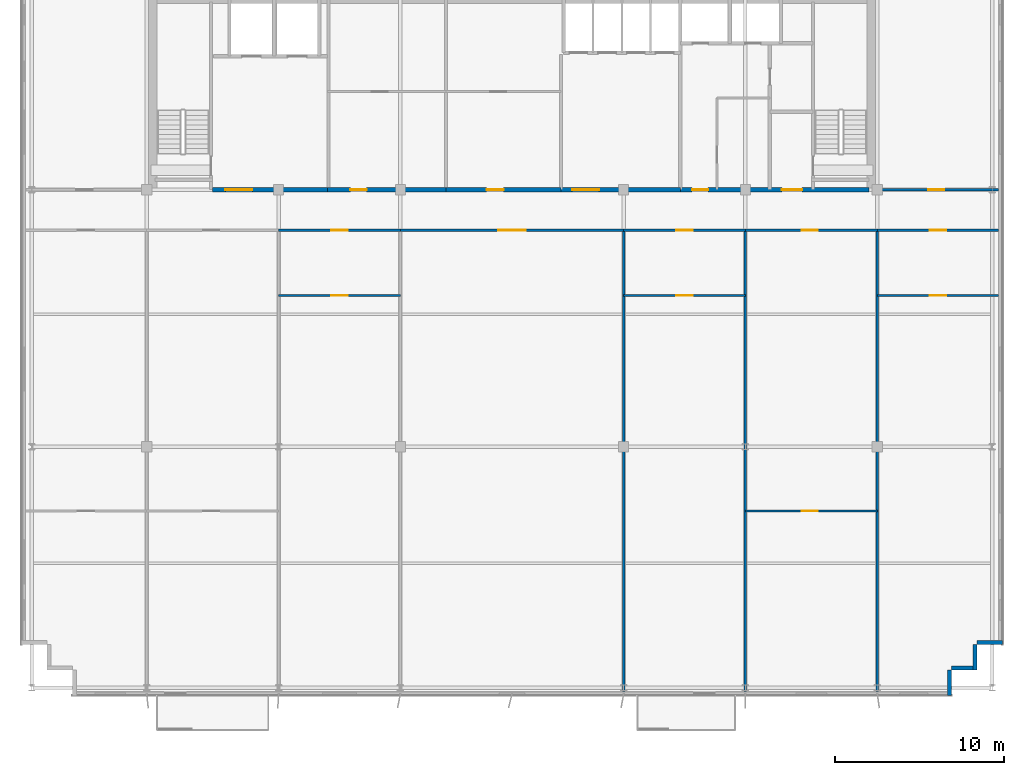
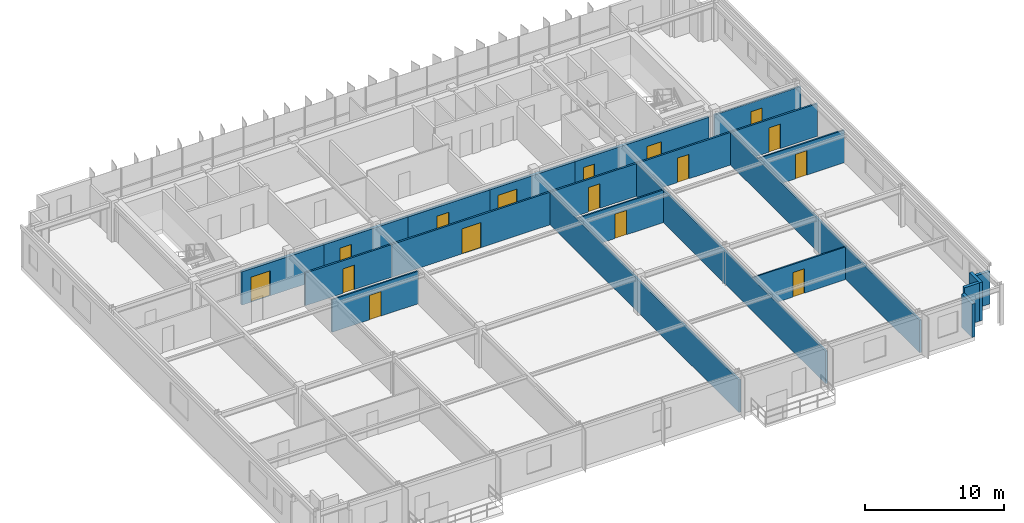
# One storey, part 17 of 21: 22 walls, 16 doors, 16 openings.
"""IFC4 building model written with IfcOpenShell, lengths in metres."""

from ifc_helpers import new_model, si_unit, direction, frame, frame_2d, origin, place, context, subcontext, project, spatial, rectangle, extrude, source, transform, mapped, material, layer, layer_set, type_object, element, fill, save


model = new_model("IFC4")

# Units and contexts
model_context = context("Model", 3, precision=1e-05, world=origin(), true_north=direction((0.0, 1.0)))
body_context = subcontext(model_context, "Body", "Model", "MODEL_VIEW")
ifc_project = project(units=[si_unit("LENGTHUNIT", "METRE"), si_unit("AREAUNIT", "SQUARE_METRE"), si_unit("VOLUMEUNIT", "CUBIC_METRE"), si_unit("PLANEANGLEUNIT", "RADIAN"), si_unit("MASSUNIT", "GRAM", prefix="KILO")], contexts=[model_context])

# Site, building, storey
site_placement = place(None, origin())
site = spatial("IfcSite", under=ifc_project, at=site_placement, CompositionType="ELEMENT")
building_placement = place(site_placement, origin())
building = spatial("IfcBuilding", under=site, at=building_placement, Name="Trelvane Seafront Commons", CompositionType="ELEMENT")
storey_placement = place(building_placement, frame((0.0, 0.0, 248.699951171875)))
storey = spatial("IfcBuildingStorey", under=building, at=storey_placement, Name="L64", CompositionType="ELEMENT", Elevation=248.699951171875)

# Walls
ifc_material_1 = material(Name="Precast concrete C40/50", Category="concrete")
ifc_layer_1 = layer(ifc_material_1, 0.239990234375, Name="ARCH-WALL-EXT240")
ifc_layer_set_1 = layer_set([ifc_layer_1], Name="Precast concrete C40/50")
wall_type_1 = type_object("IfcWallType", Name="ARCH-WALL-EXT240", PredefinedType="SOLIDWALL", material=ifc_layer_set_1)
wall_1_placement = place(storey_placement, frame((66.199951171875, 6.6201171875, 0.0), z_axis=(0.0, 0.0, 1.0), x_axis=(-1.0, 0.0, 0.0)))
element("IfcWall", 1, at=wall_1_placement, inside=storey, type_object=wall_type_1, Name="EW-L64-01292", PredefinedType="SOLIDWALL", context=body_context, shape_type="SweptSolid", body=[
    extrude(rectangle(XDim=1.5, YDim=0.239990234375, at=frame_2d((0.75, 0.0))), origin(), (0.0, 0.0, 1.0), 2.8701171875),
])
for number, where, z_axis, x_axis, name in (
    (2, (64.580078125, 6.5, 0.0), (0.0, 0.0, 1.0), (0.0, -1.0, 0.0), "EW-L64-01293"),
    (3, (64.699951171875, 5.1201171875, 0.0), (0.0, 0.0, 1.0), (-1.0, 0.0, 0.0), "EW-L64-01294"),
):
    element("IfcWall", number, at=place(storey_placement, frame(where, z_axis=z_axis, x_axis=x_axis)), inside=storey, type_object=wall_type_1, Name=name, PredefinedType="SOLIDWALL", context=body_context, shape_type="SweptSolid", body=[
        extrude(rectangle(XDim=1.5, YDim=0.239990234375, at=frame_2d((0.75, 0.0))), origin(), (0.0, 0.0, 1.0), 3.3701171875),
    ])
wall_2_placement = place(storey_placement, frame((63.080078125, 5.0, 0.0), z_axis=(0.0, 0.0, 1.0), x_axis=(0.0, -1.0, 0.0)))
element("IfcWall", 4, at=wall_2_placement, inside=storey, type_object=wall_type_1, Name="EW-L64-01295", PredefinedType="SOLIDWALL", context=body_context, shape_type="SweptSolid", body=[
    extrude(rectangle(XDim=1.5, YDim=0.239990234375, at=frame_2d((0.75, 0.0))), origin(), (0.0, 0.0, 1.0), 2.920166015625),
])

# Wall, opening, door
ifc_material_2 = material(Name="Concrete C40/50", Category="concrete")
ifc_layer_2 = layer(ifc_material_2, 0.25, Name="ARCH-WALL-FIRE250")
ifc_layer_set_2 = layer_set([ifc_layer_2], Name="Concrete C40/50")
wall_type_2 = type_object("IfcWallType", Name="ARCH-WALL-FIRE250", PredefinedType="PARTITIONING", material=ifc_layer_set_2)
wall_3_placement = place(storey_placement, frame((19.5, 33.39990234375, 0.0), z_axis=(0.0, 0.0, 1.0), x_axis=(1.0, 0.0, 0.0)))
wall_3 = element("IfcWall", 5, at=wall_3_placement, inside=storey, type_object=wall_type_2, Name="W-L64-CS-FFL-013", PredefinedType="PARTITIONING", context=body_context, shape_type="SweptSolid", body=[
    extrude(rectangle(XDim=6.800048828125, YDim=0.25, at=frame_2d((3.39990234375, 0.0))), origin(), (0.0, 0.0, 1.0), 2.920166015625),
])
opening_1_placement = place(wall_3_placement, frame((0.75, 0.0, 0.0)))
opening_1 = element("IfcOpeningElement", 6, at=opening_1_placement, cuts=wall_3, Name="Opening FD-L64-05", PredefinedType="OPENING", context=body_context, shape_type="SweptSolid", body=[
    extrude(rectangle(XDim=1.60009765625, YDim=2.199951171875, at=frame_2d((0.800048828125, 1.10009765625))), frame((0.0, 0.135009765625, 0.0), z_axis=(0.0, -1.0, 0.0), x_axis=(1.0, 0.0, 0.0)), (0.0, 0.0, 1.0), 0.27001953125),
])
ifc_material_3 = material(Name="Powder-coated aluminium frame", Category="aluminium")
door_type_1 = type_object("IfcDoorType", Name="ARCH-DR-FD60-1600", OperationType="DOUBLE_DOOR_SINGLE_SWING", PredefinedType="DOOR", material=ifc_material_3)
shared_shape_1 = source(origin(), body_context, "Body", "SweptSolid", [
    extrude(rectangle(XDim=1.60009765625, YDim=2.199951171875, at=frame_2d((0.800048828125, 1.10009765625))), frame((0.0, 0.02490234375, 0.0), z_axis=(0.0, -1.0, 0.0), x_axis=(1.0, 0.0, 0.0)), (0.0, 0.0, 1.0), 0.050048828125),
])
door_1_placement = place(opening_1_placement, origin())
door_1 = element("IfcDoor", 7, at=door_1_placement, inside=storey, type_object=door_type_1, Name="L64 Firefighting Lift Lobby Double Fire Door", OperationType="DOUBLE_DOOR_SINGLE_SWING", OverallHeight=2.199951171875, OverallWidth=1.60009765625, PredefinedType="DOOR", context=body_context, shape_type="MappedRepresentation", body=[
    mapped(shared_shape_1, transform((0.0, 0.0, 0.0), x_axis=(1.0, 0.0, 0.0), y_axis=(0.0, 1.0, 0.0), z_axis=(0.0, 0.0, 1.0), scale=1.0)),
])
fill(opening_1, door_1)

wall_4_placement = place(storey_placement, frame((26.300048828125, 33.39990234375, 0.0), z_axis=(0.0, 0.0, 1.0), x_axis=(1.0, 0.0, 0.0)))
wall_4 = element("IfcWall", 8, at=wall_4_placement, inside=storey, type_object=wall_type_2, Name="W-L64-CS-FPL-024", PredefinedType="PARTITIONING", context=body_context, shape_type="SweptSolid", body=[
    extrude(rectangle(XDim=7.0, YDim=0.25, at=frame_2d((3.5, 0.0))), origin(), (0.0, 0.0, 1.0), 2.920166015625),
])
opening_2_placement = place(wall_4_placement, frame((1.35009765625, 0.0, 0.0)))
opening_2 = element("IfcOpeningElement", 9, at=opening_2_placement, cuts=wall_4, Name="Opening D-L64-12", PredefinedType="OPENING", context=body_context, shape_type="SweptSolid", body=[
    extrude(rectangle(XDim=0.949951171875, YDim=2.14990234375, at=frame_2d((0.47509765625, 1.074951171875))), frame((0.0, 0.135009765625, 0.0), z_axis=(0.0, -1.0, 0.0), x_axis=(1.0, 0.0, 0.0)), (0.0, 0.0, 1.0), 0.27001953125),
])
ifc_material_4 = material(Name="Acoustic timber door leaf", Category="wood")
door_type_2 = type_object("IfcDoorType", Name="ARCH-DR-INT950", OperationType="NOTDEFINED", PredefinedType="DOOR", material=ifc_material_4)
shared_shape_2 = source(origin(), body_context, "Body", "SweptSolid", [
    extrude(rectangle(XDim=0.949951171875, YDim=2.14990234375, at=frame_2d((0.47509765625, 1.074951171875))), frame((0.0, 0.02490234375, 0.0), z_axis=(0.0, -1.0, 0.0), x_axis=(1.0, 0.0, 0.0)), (0.0, 0.0, 1.0), 0.050048828125),
])
door_2_placement = place(opening_2_placement, origin())
door_2 = element("IfcDoor", 10, at=door_2_placement, inside=storey, type_object=door_type_2, Name="L64 Floor Pantry Entrance Door", OperationType="SINGLE_SWING_RIGHT", OverallHeight=2.14990234375, OverallWidth=0.949951171875, PredefinedType="DOOR", context=body_context, shape_type="MappedRepresentation", body=[
    mapped(shared_shape_2, transform((0.0, 0.0, 0.0), x_axis=(1.0, 0.0, 0.0), y_axis=(0.0, 1.0, 0.0), z_axis=(0.0, 0.0, 1.0), scale=1.0)),
])
fill(opening_2, door_2)

wall_5_placement = place(storey_placement, frame((33.300048828125, 33.39990234375, 0.0), z_axis=(0.0, 0.0, 1.0), x_axis=(1.0, 0.0, 0.0)))
wall_5 = element("IfcWall", 11, at=wall_5_placement, inside=storey, type_object=wall_type_2, Name="W-L64-CS-FPM-025", PredefinedType="PARTITIONING", context=body_context, shape_type="SweptSolid", body=[
    extrude(rectangle(XDim=6.800048828125, YDim=0.25, at=frame_2d((3.39990234375, 0.0))), origin(), (0.0, 0.0, 1.0), 2.920166015625),
])
opening_3_placement = place(wall_5_placement, frame((2.39990234375, 0.0, 0.0)))
opening_3 = element("IfcOpeningElement", 12, at=opening_3_placement, cuts=wall_5, Name="Opening FD-L64-13", PredefinedType="OPENING", context=body_context, shape_type="SweptSolid", body=[
    extrude(rectangle(XDim=1.0, YDim=2.14990234375, at=frame_2d((0.5, 1.074951171875))), frame((0.0, 0.135009765625, 0.0), z_axis=(0.0, -1.0, 0.0), x_axis=(1.0, 0.0, 0.0)), (0.0, 0.0, 1.0), 0.27001953125),
])
door_type_3 = type_object("IfcDoorType", Name="ARCH-DR-FD60-1000", OperationType="NOTDEFINED", PredefinedType="DOOR", material=ifc_material_3)
shared_shape_3 = source(origin(), body_context, "Body", "SweptSolid", [
    extrude(rectangle(XDim=1.0, YDim=2.14990234375, at=frame_2d((0.5, 1.074951171875))), frame((0.0, 0.02490234375, 0.0), z_axis=(0.0, -1.0, 0.0), x_axis=(1.0, 0.0, 0.0)), (0.0, 0.0, 1.0), 0.050048828125),
])
door_3_placement = place(opening_3_placement, origin())
door_3 = element("IfcDoor", 13, at=door_3_placement, inside=storey, type_object=door_type_3, Name="L64 Trunk Storage Door", OperationType="SINGLE_SWING_LEFT", OverallHeight=2.14990234375, OverallWidth=1.0, PredefinedType="DOOR", context=body_context, shape_type="MappedRepresentation", body=[
    mapped(shared_shape_3, transform((0.0, 0.0, 0.0), x_axis=(1.0, 0.0, 0.0), y_axis=(0.0, 1.0, 0.0), z_axis=(0.0, 0.0, 1.0), scale=1.0)),
])
fill(opening_3, door_3)

wall_6_placement = place(storey_placement, frame((40.10009765625, 33.39990234375, 0.0), z_axis=(0.0, 0.0, 1.0), x_axis=(1.0, 0.0, 0.0)))
wall_6 = element("IfcWall", 14, at=wall_6_placement, inside=storey, type_object=wall_type_2, Name="W-L64-CS-PAX-026", PredefinedType="PARTITIONING", context=body_context, shape_type="SweptSolid", body=[
    extrude(rectangle(XDim=7.0498046875, YDim=0.25, at=frame_2d((3.52490234375, 0.0))), origin(), (0.0, 0.0, 1.0), 2.920166015625),
])
opening_4_placement = place(wall_6_placement, frame((0.64990234375, 0.0, 0.0)))
opening_4 = element("IfcOpeningElement", 15, at=opening_4_placement, cuts=wall_6, Name="Opening FD-L64-14", PredefinedType="OPENING", context=body_context, shape_type="SweptSolid", body=[
    extrude(rectangle(XDim=1.60009765625, YDim=2.199951171875, at=frame_2d((0.800048828125, 1.10009765625))), frame((0.0, 0.135009765625, 0.0), z_axis=(0.0, -1.0, 0.0), x_axis=(1.0, 0.0, 0.0)), (0.0, 0.0, 1.0), 0.27001953125),
])
door_4_placement = place(opening_4_placement, origin())
door_4 = element("IfcDoor", 16, at=door_4_placement, inside=storey, type_object=door_type_1, Name="L64 High-Rise Lift Lobby Double Door", OperationType="DOUBLE_DOOR_SINGLE_SWING", OverallHeight=2.199951171875, OverallWidth=1.60009765625, PredefinedType="DOOR", context=body_context, shape_type="MappedRepresentation", body=[
    mapped(shared_shape_1, transform((0.0, 0.0, 0.0), x_axis=(1.0, 0.0, 0.0), y_axis=(0.0, 1.0, 0.0), z_axis=(0.0, 0.0, 1.0), scale=1.0)),
])
fill(opening_4, door_4)

# Wall, openings, doors
wall_7_placement = place(storey_placement, frame((47.14990234375, 33.39990234375, 0.0), z_axis=(0.0, 0.0, 1.0), x_axis=(1.0, 0.0, 0.0)))
wall_7 = element("IfcWall", 17, at=wall_7_placement, inside=storey, type_object=wall_type_2, Name="W-L64-CS-EAST-034", PredefinedType="PARTITIONING", context=body_context, shape_type="SweptSolid", body=[
    extrude(rectangle(XDim=11.150146484375, YDim=0.25, at=frame_2d((5.5751953125, 0.0))), origin(), (0.0, 0.0, 1.0), 2.920166015625),
])
opening_5_placement = place(wall_7_placement, frame((0.699951171875, 0.0, 0.0)))
opening_5 = element("IfcOpeningElement", 18, at=opening_5_placement, cuts=wall_7, Name="Opening FD-L64-19", PredefinedType="OPENING", context=body_context, shape_type="SweptSolid", body=[
    extrude(rectangle(XDim=0.949951171875, YDim=2.14990234375, at=frame_2d((0.47509765625, 1.074951171875))), frame((0.0, 0.135009765625, 0.0), z_axis=(0.0, -1.0, 0.0), x_axis=(1.0, 0.0, 0.0)), (0.0, 0.0, 1.0), 0.27001953125),
])
opening_6_placement = place(wall_7_placement, frame((6.0, 0.0, 0.0)))
opening_6 = element("IfcOpeningElement", 19, at=opening_6_placement, cuts=wall_7, Name="Opening FD-L64-20", PredefinedType="OPENING", context=body_context, shape_type="SweptSolid", body=[
    extrude(rectangle(XDim=1.199951171875, YDim=2.14990234375, at=frame_2d((0.60009765625, 1.074951171875))), frame((0.0, 0.135009765625, 0.0), z_axis=(0.0, -1.0, 0.0), x_axis=(1.0, 0.0, 0.0)), (0.0, 0.0, 1.0), 0.27001953125),
])
door_type_4 = type_object("IfcDoorType", Name="ARCH-DR-FD60-950", OperationType="NOTDEFINED", PredefinedType="DOOR", material=ifc_material_3)
door_5_placement = place(opening_5_placement, origin())
door_5 = element("IfcDoor", 20, at=door_5_placement, inside=storey, type_object=door_type_4, Name="L64 Core Service Lobby Door", OperationType="SINGLE_SWING_LEFT", OverallHeight=2.14990234375, OverallWidth=0.949951171875, PredefinedType="DOOR", context=body_context, shape_type="MappedRepresentation", body=[
    mapped(shared_shape_2, transform((0.0, 0.0, 0.0), x_axis=(1.0, 0.0, 0.0), y_axis=(0.0, 1.0, 0.0), z_axis=(0.0, 0.0, 1.0), scale=1.0)),
])
fill(opening_5, door_5)
door_type_5 = type_object("IfcDoorType", Name="ARCH-DR-FD60-1200", OperationType="NOTDEFINED", PredefinedType="DOOR", material=ifc_material_3)
shared_shape_4 = source(origin(), body_context, "Body", "SweptSolid", [
    extrude(rectangle(XDim=1.199951171875, YDim=2.14990234375, at=frame_2d((0.60009765625, 1.074951171875))), frame((0.0, 0.02490234375, 0.0), z_axis=(0.0, -1.0, 0.0), x_axis=(1.0, 0.0, 0.0)), (0.0, 0.0, 1.0), 0.050048828125),
])
door_6_placement = place(opening_6_placement, origin())
door_6 = element("IfcDoor", 21, at=door_6_placement, inside=storey, type_object=door_type_5, Name="L64 East Stair Vestibule Fire Door", OperationType="SINGLE_SWING_RIGHT", OverallHeight=2.14990234375, OverallWidth=1.199951171875, PredefinedType="DOOR", context=body_context, shape_type="MappedRepresentation", body=[
    mapped(shared_shape_4, transform((0.0, 0.0, 0.0), x_axis=(1.0, 0.0, 0.0), y_axis=(0.0, 1.0, 0.0), z_axis=(0.0, 0.0, 1.0), scale=1.0)),
])
fill(opening_6, door_6)

# Wall, opening, door
ifc_material_5 = material(Name="Gypsum Drywall Acoustic Partition")
ifc_layer_3 = layer(ifc_material_5, 0.1201171875, Name="ARCH-WALL-PART120")
ifc_layer_set_3 = layer_set([ifc_layer_3], Name="Gypsum Drywall Acoustic Partition")
wall_type_3 = type_object("IfcWallType", Name="ARCH-WALL-PART120", PredefinedType="PARTITIONING", material=ifc_layer_set_3)
wall_8_placement = place(storey_placement, frame((23.39990234375, 27.14990234375, 0.0), z_axis=(0.0, 0.0, 1.0), x_axis=(1.0, 0.0, 0.0)))
wall_8 = element("IfcWall", 22, at=wall_8_placement, inside=storey, type_object=wall_type_3, Name="W-L64-U3-DIV-051", PredefinedType="PARTITIONING", context=body_context, shape_type="SweptSolid", body=[
    extrude(rectangle(XDim=7.2001953125, YDim=0.1201171875, at=frame_2d((3.60009765625, 0.0))), origin(), (0.0, 0.0, 1.0), 2.8701171875),
])
opening_7_placement = place(wall_8_placement, frame((3.125, 0.0, 0.0)))
opening_7 = element("IfcOpeningElement", 23, at=opening_7_placement, cuts=wall_8, Name="Opening D-L64-31", PredefinedType="OPENING", context=body_context, shape_type="SweptSolid", body=[
    extrude(rectangle(XDim=0.949951171875, YDim=2.14990234375, at=frame_2d((0.47509765625, 1.074951171875))), frame((0.0, 0.070068359375, 0.0), z_axis=(0.0, -1.0, 0.0), x_axis=(1.0, 0.0, 0.0)), (0.0, 0.0, 1.0), 0.14013671875),
])
door_7_placement = place(opening_7_placement, origin())
door_7 = element("IfcDoor", 24, at=door_7_placement, inside=storey, type_object=door_type_2, Name="L64 Door 31", OperationType="SINGLE_SWING_LEFT", OverallHeight=2.14990234375, OverallWidth=0.949951171875, PredefinedType="DOOR", context=body_context, shape_type="MappedRepresentation", body=[
    mapped(shared_shape_2, transform((0.0, 0.0, 0.0), x_axis=(1.0, 0.0, 0.0), y_axis=(0.0, 1.0, 0.0), z_axis=(0.0, 0.0, 1.0), scale=1.0)),
])
fill(opening_7, door_7)

wall_9_placement = place(storey_placement, frame((43.800048828125, 27.14990234375, 0.0), z_axis=(0.0, 0.0, 1.0), x_axis=(1.0, 0.0, 0.0)))
wall_9 = element("IfcWall", 25, at=wall_9_placement, inside=storey, type_object=wall_type_3, Name="W-L64-U5-DIV-054", PredefinedType="PARTITIONING", context=body_context, shape_type="SweptSolid", body=[
    extrude(rectangle(XDim=7.199951171875, YDim=0.1201171875, at=frame_2d((3.60009765625, 0.0))), origin(), (0.0, 0.0, 1.0), 2.8701171875),
])
opening_8_placement = place(wall_9_placement, frame((3.125, 0.0, 0.0)))
opening_8 = element("IfcOpeningElement", 26, at=opening_8_placement, cuts=wall_9, Name="Opening D-L64-34", PredefinedType="OPENING", context=body_context, shape_type="SweptSolid", body=[
    extrude(rectangle(XDim=0.949951171875, YDim=2.14990234375, at=frame_2d((0.47509765625, 1.074951171875))), frame((0.0, 0.070068359375, 0.0), z_axis=(0.0, -1.0, 0.0), x_axis=(1.0, 0.0, 0.0)), (0.0, 0.0, 1.0), 0.14013671875),
])
door_8_placement = place(opening_8_placement, origin())
door_8 = element("IfcDoor", 27, at=door_8_placement, inside=storey, type_object=door_type_2, Name="L64 Door 34", OperationType="SINGLE_SWING_RIGHT", OverallHeight=2.14990234375, OverallWidth=0.949951171875, PredefinedType="DOOR", context=body_context, shape_type="MappedRepresentation", body=[
    mapped(shared_shape_2, transform((0.0, 0.0, 0.0), x_axis=(1.0, 0.0, 0.0), y_axis=(0.0, 1.0, 0.0), z_axis=(0.0, 0.0, 1.0), scale=1.0)),
])
fill(opening_8, door_8)

wall_10_placement = place(storey_placement, frame((51.0, 14.39990234375, 0.0), z_axis=(0.0, 0.0, 1.0), x_axis=(1.0, 0.0, 0.0)))
wall_10 = element("IfcWall", 28, at=wall_10_placement, inside=storey, type_object=wall_type_3, Name="W-L64-U6-DIV-056", PredefinedType="PARTITIONING", context=body_context, shape_type="SweptSolid", body=[
    extrude(rectangle(XDim=7.800048828125, YDim=0.1201171875, at=frame_2d((3.89990234375, 0.0))), origin(), (0.0, 0.0, 1.0), 2.8701171875),
])
opening_9_placement = place(wall_10_placement, frame((3.3330078125, 0.0, 0.0)))
opening_9 = element("IfcOpeningElement", 29, at=opening_9_placement, cuts=wall_10, Name="Opening D-L64-36", PredefinedType="OPENING", context=body_context, shape_type="SweptSolid", body=[
    extrude(rectangle(XDim=0.949951171875, YDim=2.14990234375, at=frame_2d((0.47509765625, 1.074951171875))), frame((0.0, 0.070068359375, 0.0), z_axis=(0.0, -1.0, 0.0), x_axis=(1.0, 0.0, 0.0)), (0.0, 0.0, 1.0), 0.14013671875),
])
door_9_placement = place(opening_9_placement, origin())
door_9 = element("IfcDoor", 30, at=door_9_placement, inside=storey, type_object=door_type_2, Name="L64 Door 36", OperationType="SINGLE_SWING_RIGHT", OverallHeight=2.14990234375, OverallWidth=0.949951171875, PredefinedType="DOOR", context=body_context, shape_type="MappedRepresentation", body=[
    mapped(shared_shape_2, transform((0.0, 0.0, 0.0), x_axis=(1.0, 0.0, 0.0), y_axis=(0.0, 1.0, 0.0), z_axis=(0.0, 0.0, 1.0), scale=1.0)),
])
fill(opening_9, door_9)

wall_11_placement = place(storey_placement, frame((58.800048828125, 27.14990234375, 0.0), z_axis=(0.0, 0.0, 1.0), x_axis=(1.0, 0.0, 0.0)))
wall_11 = element("IfcWall", 31, at=wall_11_placement, inside=storey, type_object=wall_type_3, Name="W-L64-U7-DIV-058", PredefinedType="PARTITIONING", context=body_context, shape_type="SweptSolid", body=[
    extrude(rectangle(XDim=7.175048828125, YDim=0.1201171875, at=frame_2d((3.58740234375, 0.0))), origin(), (0.0, 0.0, 1.0), 2.8701171875),
])
opening_10_placement = place(wall_11_placement, frame((3.112060546875, 0.0, 0.0)))
opening_10 = element("IfcOpeningElement", 32, at=opening_10_placement, cuts=wall_11, Name="Opening D-L64-38", PredefinedType="OPENING", context=body_context, shape_type="SweptSolid", body=[
    extrude(rectangle(XDim=0.949951171875, YDim=2.14990234375, at=frame_2d((0.47509765625, 1.074951171875))), frame((0.0, 0.070068359375, 0.0), z_axis=(0.0, -1.0, 0.0), x_axis=(1.0, 0.0, 0.0)), (0.0, 0.0, 1.0), 0.14013671875),
])
door_10_placement = place(opening_10_placement, origin())
door_10 = element("IfcDoor", 33, at=door_10_placement, inside=storey, type_object=door_type_2, Name="L64 Door 38", OperationType="SINGLE_SWING_RIGHT", OverallHeight=2.14990234375, OverallWidth=0.949951171875, PredefinedType="DOOR", context=body_context, shape_type="MappedRepresentation", body=[
    mapped(shared_shape_2, transform((0.0, 0.0, 0.0), x_axis=(1.0, 0.0, 0.0), y_axis=(0.0, 1.0, 0.0), z_axis=(0.0, 0.0, 1.0), scale=1.0)),
])
fill(opening_10, door_10)

ifc_layer_4 = layer(ifc_material_5, 0.14990234375, Name="ARCH-WALL-PART150")
ifc_layer_set_4 = layer_set([ifc_layer_4], Name="Gypsum Drywall Acoustic Partition")
wall_type_4 = type_object("IfcWallType", Name="ARCH-WALL-PART150", PredefinedType="PARTITIONING", material=ifc_layer_set_4)
wall_12_placement = place(storey_placement, frame((58.800048828125, 33.39990234375, 0.0), z_axis=(0.0, 0.0, 1.0), x_axis=(1.0, 0.0, 0.0)))
wall_12 = element("IfcWall", 34, at=wall_12_placement, inside=storey, type_object=wall_type_4, Name="W-L64-NE-ENT-036", PredefinedType="PARTITIONING", context=body_context, shape_type="SweptSolid", body=[
    extrude(rectangle(XDim=7.14990234375, YDim=0.14990234375, at=frame_2d((3.574951171875, 0.0))), origin(), (0.0, 0.0, 1.0), 2.920166015625),
])
opening_11_placement = place(wall_12_placement, frame((3.0, 0.0, 0.0)))
opening_11 = element("IfcOpeningElement", 35, at=opening_11_placement, cuts=wall_12, Name="Opening FD-L64-22", PredefinedType="OPENING", context=body_context, shape_type="SweptSolid", body=[
    extrude(rectangle(XDim=0.949951171875, YDim=2.14990234375, at=frame_2d((0.47509765625, 1.074951171875))), frame((0.0, 0.0849609375, 0.0), z_axis=(0.0, -1.0, 0.0), x_axis=(1.0, 0.0, 0.0)), (0.0, 0.0, 1.0), 0.169921875),
])
door_11_placement = place(opening_11_placement, origin())
door_11 = element("IfcDoor", 36, at=door_11_placement, inside=storey, type_object=door_type_4, Name="L64 NE Suite Entrance Door", OperationType="SINGLE_SWING_RIGHT", OverallHeight=2.14990234375, OverallWidth=0.949951171875, PredefinedType="DOOR", context=body_context, shape_type="MappedRepresentation", body=[
    mapped(shared_shape_2, transform((0.0, 0.0, 0.0), x_axis=(1.0, 0.0, 0.0), y_axis=(0.0, 1.0, 0.0), z_axis=(0.0, 0.0, 1.0), scale=1.0)),
])
fill(opening_11, door_11)

# Walls
for number, where, z_axis, x_axis, name in (
    (37, (43.800048828125, 3.72509765625, 0.0), (0.0, 0.0, 1.0), (0.0, 1.0, 0.0), "W-L64-PW-4-043"),
    (38, (51.0, 3.72509765625, 0.0), (0.0, 0.0, 1.0), (0.0, 1.0, 0.0), "W-L64-PW-5-044"),
    (39, (58.800048828125, 3.72509765625, 0.0), (0.0, 0.0, 1.0), (0.0, 1.0, 0.0), "W-L64-PW-6-045"),
):
    element("IfcWall", number, at=place(storey_placement, frame(where, z_axis=z_axis, x_axis=x_axis)), inside=storey, type_object=wall_type_4, Name=name, PredefinedType="PARTITIONING", context=body_context, shape_type="SweptSolid", body=[
        extrude(rectangle(XDim=27.27490234375, YDim=0.14990234375, at=frame_2d((13.637451171875, 0.0))), origin(), (0.0, 0.0, 1.0), 2.8701171875),
    ])

# Wall, opening, door
wall_13_placement = place(storey_placement, frame((23.39990234375, 31.0, 0.0), z_axis=(0.0, 0.0, 1.0), x_axis=(1.0, 0.0, 0.0)))
wall_13 = element("IfcWall", 40, at=wall_13_placement, inside=storey, type_object=wall_type_4, Name="W-L64-CS-BAY-3-050", PredefinedType="PARTITIONING", context=body_context, shape_type="SweptSolid", body=[
    extrude(rectangle(XDim=7.2001953125, YDim=0.14990234375, at=frame_2d((3.60009765625, 0.0))), origin(), (0.0, 0.0, 1.0), 2.8701171875),
])
opening_12_placement = place(wall_13_placement, frame((3.125, 0.0, 0.0)))
opening_12 = element("IfcOpeningElement", 41, at=opening_12_placement, cuts=wall_13, Name="Opening FD-L64-30", PredefinedType="OPENING", context=body_context, shape_type="SweptSolid", body=[
    extrude(rectangle(XDim=0.949951171875, YDim=2.14990234375, at=frame_2d((0.47509765625, 1.074951171875))), frame((0.0, 0.0849609375, 0.0), z_axis=(0.0, -1.0, 0.0), x_axis=(1.0, 0.0, 0.0)), (0.0, 0.0, 1.0), 0.169921875),
])
door_12_placement = place(opening_12_placement, origin())
door_12 = element("IfcDoor", 42, at=door_12_placement, inside=storey, type_object=door_type_4, Name="L64 Bay 03 Entrance Door", OperationType="SINGLE_SWING_RIGHT", OverallHeight=2.14990234375, OverallWidth=0.949951171875, PredefinedType="DOOR", context=body_context, shape_type="MappedRepresentation", body=[
    mapped(shared_shape_2, transform((0.0, 0.0, 0.0), x_axis=(1.0, 0.0, 0.0), y_axis=(0.0, 1.0, 0.0), z_axis=(0.0, 0.0, 1.0), scale=1.0)),
])
fill(opening_12, door_12)

wall_14_placement = place(storey_placement, frame((30.60009765625, 31.0, 0.0), z_axis=(0.0, 0.0, 1.0), x_axis=(1.0, 0.0, 0.0)))
wall_14 = element("IfcWall", 43, at=wall_14_placement, inside=storey, type_object=wall_type_4, Name="W-L64-CS-BAY-4-052", PredefinedType="PARTITIONING", context=body_context, shape_type="SweptSolid", body=[
    extrude(rectangle(XDim=13.199951171875, YDim=0.14990234375, at=frame_2d((6.60009765625, 0.0))), origin(), (0.0, 0.0, 1.0), 2.8701171875),
])
opening_13_placement = place(wall_14_placement, frame((5.800048828125, 0.0, 0.0)))
opening_13 = element("IfcOpeningElement", 44, at=opening_13_placement, cuts=wall_14, Name="Opening D-L64-32", PredefinedType="OPENING", context=body_context, shape_type="SweptSolid", body=[
    extrude(rectangle(XDim=1.60009765625, YDim=2.199951171875, at=frame_2d((0.800048828125, 1.10009765625))), frame((0.0, 0.0849609375, 0.0), z_axis=(0.0, -1.0, 0.0), x_axis=(1.0, 0.0, 0.0)), (0.0, 0.0, 1.0), 0.169921875),
])
door_type_6 = type_object("IfcDoorType", Name="ARCH-DR-GLZ1600", OperationType="DOUBLE_DOOR_SINGLE_SWING", PredefinedType="DOOR", material=ifc_material_4)
door_13_placement = place(opening_13_placement, origin())
door_13 = element("IfcDoor", 45, at=door_13_placement, inside=storey, type_object=door_type_6, Name="L64 Commons Lounge 04 Door", OperationType="DOUBLE_DOOR_SINGLE_SWING", OverallHeight=2.199951171875, OverallWidth=1.60009765625, PredefinedType="DOOR", context=body_context, shape_type="MappedRepresentation", body=[
    mapped(shared_shape_1, transform((0.0, 0.0, 0.0), x_axis=(1.0, 0.0, 0.0), y_axis=(0.0, 1.0, 0.0), z_axis=(0.0, 0.0, 1.0), scale=1.0)),
])
fill(opening_13, door_13)

wall_15_placement = place(storey_placement, frame((43.800048828125, 31.0, 0.0), z_axis=(0.0, 0.0, 1.0), x_axis=(1.0, 0.0, 0.0)))
wall_15 = element("IfcWall", 46, at=wall_15_placement, inside=storey, type_object=wall_type_4, Name="W-L64-CS-BAY-5-053", PredefinedType="PARTITIONING", context=body_context, shape_type="SweptSolid", body=[
    extrude(rectangle(XDim=7.199951171875, YDim=0.14990234375, at=frame_2d((3.60009765625, 0.0))), origin(), (0.0, 0.0, 1.0), 2.8701171875),
])
opening_14_placement = place(wall_15_placement, frame((3.125, 0.0, 0.0)))
opening_14 = element("IfcOpeningElement", 47, at=opening_14_placement, cuts=wall_15, Name="Opening FD-L64-33", PredefinedType="OPENING", context=body_context, shape_type="SweptSolid", body=[
    extrude(rectangle(XDim=0.949951171875, YDim=2.14990234375, at=frame_2d((0.47509765625, 1.074951171875))), frame((0.0, 0.0849609375, 0.0), z_axis=(0.0, -1.0, 0.0), x_axis=(1.0, 0.0, 0.0)), (0.0, 0.0, 1.0), 0.169921875),
])
door_14_placement = place(opening_14_placement, origin())
door_14 = element("IfcDoor", 48, at=door_14_placement, inside=storey, type_object=door_type_4, Name="L64 Bay 05 Entrance Door", OperationType="SINGLE_SWING_LEFT", OverallHeight=2.14990234375, OverallWidth=0.949951171875, PredefinedType="DOOR", context=body_context, shape_type="MappedRepresentation", body=[
    mapped(shared_shape_2, transform((0.0, 0.0, 0.0), x_axis=(1.0, 0.0, 0.0), y_axis=(0.0, 1.0, 0.0), z_axis=(0.0, 0.0, 1.0), scale=1.0)),
])
fill(opening_14, door_14)

wall_16_placement = place(storey_placement, frame((51.0, 31.0, 0.0), z_axis=(0.0, 0.0, 1.0), x_axis=(1.0, 0.0, 0.0)))
wall_16 = element("IfcWall", 49, at=wall_16_placement, inside=storey, type_object=wall_type_4, Name="W-L64-CS-BAY-6-055", PredefinedType="PARTITIONING", context=body_context, shape_type="SweptSolid", body=[
    extrude(rectangle(XDim=7.800048828125, YDim=0.14990234375, at=frame_2d((3.89990234375, 0.0))), origin(), (0.0, 0.0, 1.0), 2.8701171875),
])
opening_15_placement = place(wall_16_placement, frame((3.3330078125, 0.0, 0.0)))
opening_15 = element("IfcOpeningElement", 50, at=opening_15_placement, cuts=wall_16, Name="Opening FD-L64-35", PredefinedType="OPENING", context=body_context, shape_type="SweptSolid", body=[
    extrude(rectangle(XDim=0.949951171875, YDim=2.14990234375, at=frame_2d((0.47509765625, 1.074951171875))), frame((0.0, 0.0849609375, 0.0), z_axis=(0.0, -1.0, 0.0), x_axis=(1.0, 0.0, 0.0)), (0.0, 0.0, 1.0), 0.169921875),
])
door_15_placement = place(opening_15_placement, origin())
door_15 = element("IfcDoor", 51, at=door_15_placement, inside=storey, type_object=door_type_4, Name="L64 Bay 06 Entrance Door", OperationType="SINGLE_SWING_LEFT", OverallHeight=2.14990234375, OverallWidth=0.949951171875, PredefinedType="DOOR", context=body_context, shape_type="MappedRepresentation", body=[
    mapped(shared_shape_2, transform((0.0, 0.0, 0.0), x_axis=(1.0, 0.0, 0.0), y_axis=(0.0, 1.0, 0.0), z_axis=(0.0, 0.0, 1.0), scale=1.0)),
])
fill(opening_15, door_15)

wall_17_placement = place(storey_placement, frame((58.800048828125, 31.0, 0.0), z_axis=(0.0, 0.0, 1.0), x_axis=(1.0, 0.0, 0.0)))
wall_17 = element("IfcWall", 52, at=wall_17_placement, inside=storey, type_object=wall_type_4, Name="W-L64-CS-BAY-7-057", PredefinedType="PARTITIONING", context=body_context, shape_type="SweptSolid", body=[
    extrude(rectangle(XDim=7.175048828125, YDim=0.14990234375, at=frame_2d((3.58740234375, 0.0))), origin(), (0.0, 0.0, 1.0), 2.8701171875),
])
opening_16_placement = place(wall_17_placement, frame((3.112060546875, 0.0, 0.0)))
opening_16 = element("IfcOpeningElement", 53, at=opening_16_placement, cuts=wall_17, Name="Opening FD-L64-37", PredefinedType="OPENING", context=body_context, shape_type="SweptSolid", body=[
    extrude(rectangle(XDim=0.949951171875, YDim=2.14990234375, at=frame_2d((0.47509765625, 1.074951171875))), frame((0.0, 0.0849609375, 0.0), z_axis=(0.0, -1.0, 0.0), x_axis=(1.0, 0.0, 0.0)), (0.0, 0.0, 1.0), 0.169921875),
])
door_16_placement = place(opening_16_placement, origin())
door_16 = element("IfcDoor", 54, at=door_16_placement, inside=storey, type_object=door_type_4, Name="L64 Bay 07 Entrance Door", OperationType="SINGLE_SWING_LEFT", OverallHeight=2.14990234375, OverallWidth=0.949951171875, PredefinedType="DOOR", context=body_context, shape_type="MappedRepresentation", body=[
    mapped(shared_shape_2, transform((0.0, 0.0, 0.0), x_axis=(1.0, 0.0, 0.0), y_axis=(0.0, 1.0, 0.0), z_axis=(0.0, 0.0, 1.0), scale=1.0)),
])
fill(opening_16, door_16)

save(model, "model.ifc")
